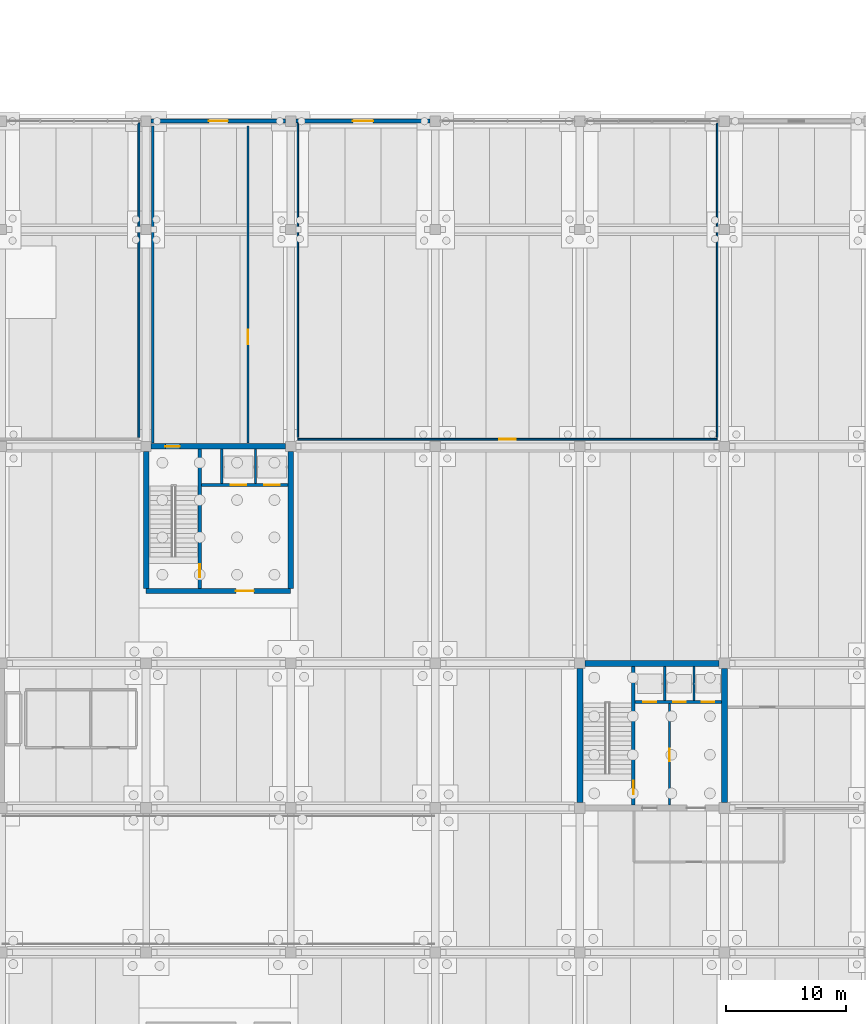
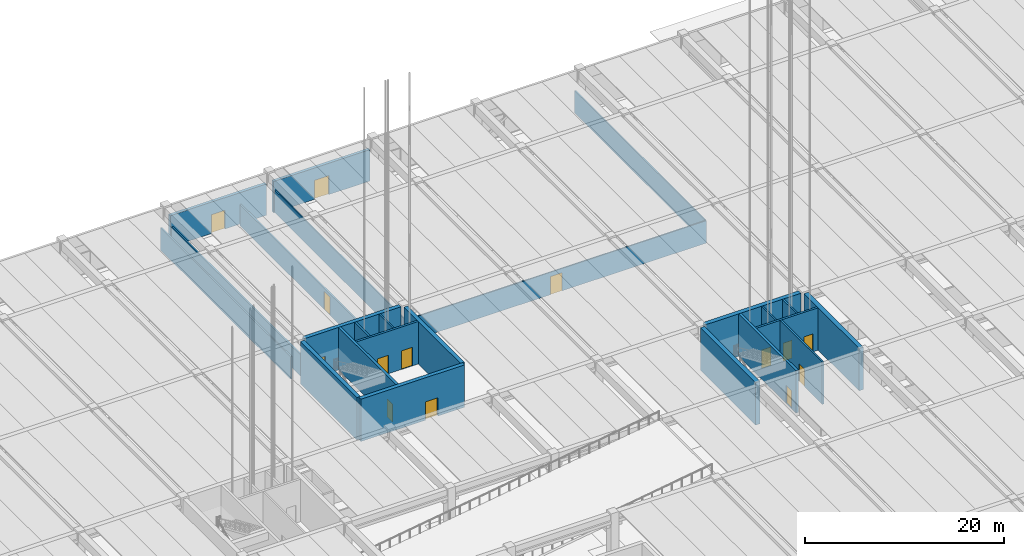
# One storey, part 29 of 59: 24 walls, 14 doors, 14 openings.
"""IFC4 building model written with IfcOpenShell, lengths in metres."""

from ifc_helpers import new_model, si_unit, direction, frame, frame_2d, origin, place, context, subcontext, project, spatial, rectangle, extrude, material, layer, layer_set, type_object, element, fill, save


model = new_model("IFC4")

# Units and contexts
model_context = context("Model", 3, precision=1e-05, world=origin(), true_north=direction((0.0, 1.0)))
body_context = subcontext(model_context, "Body", "Model", "MODEL_VIEW")
ifc_project = project(units=[si_unit("LENGTHUNIT", "METRE"), si_unit("AREAUNIT", "SQUARE_METRE"), si_unit("VOLUMEUNIT", "CUBIC_METRE"), si_unit("PLANEANGLEUNIT", "RADIAN"), si_unit("MASSUNIT", "GRAM", prefix="KILO")], contexts=[model_context])

# Site, building, storey
site_placement = place(None, origin())
site = spatial("IfcSite", under=ifc_project, at=site_placement, CompositionType="ELEMENT")
building_placement = place(site_placement, origin())
building = spatial("IfcBuilding", under=site, at=building_placement, Name="Girod Span Mobility Hub", CompositionType="ELEMENT")
storey_placement = place(building_placement, origin())
storey = spatial("IfcBuildingStorey", under=building, at=storey_placement, Name="L00", CompositionType="ELEMENT", Elevation=0.0)

# Wall, opening, door
ifc_material_1 = material(Name="Concrete C40/50", Category="concrete")
ifc_layer_1 = layer(ifc_material_1, 0.449951171875)
ifc_layer_set_1 = layer_set([ifc_layer_1], Name="Concrete C40/50")
wall_type_1 = type_object("IfcWallType", Name="W-CW-450", PredefinedType="SHEAR", material=ifc_layer_set_1)
wall_1_placement = place(storey_placement, frame((72.0, 75.0, 0.0), z_axis=(0.0, 0.0, 1.0), x_axis=(1.0, 0.0, 0.0)))
wall_1 = element("IfcWall", 1, at=wall_1_placement, inside=storey, type_object=wall_type_1, Name="Core C4 Shear Wall S L00", PredefinedType="SHEAR", context=body_context, shape_type="SweptSolid", body=[
    extrude(rectangle(XDim=12.0, YDim=0.449951171875, at=frame_2d((6.0, 0.0))), origin(), (0.0, 0.0, 1.0), 5.202880859375),
])
opening_1_placement = place(wall_1_placement, frame((7.449951171875, 0.0, 0.0)))
opening_1 = element("IfcOpeningElement", 2, at=opening_1_placement, cuts=wall_1, Name="Opening D-LB-C4-L00", PredefinedType="OPENING", context=body_context, shape_type="SweptSolid", body=[
    extrude(rectangle(XDim=1.5, YDim=2.25, at=frame_2d((0.75, 1.125))), frame((0.0, 0.239990234375, 0.0), z_axis=(0.0, -1.0, 0.0), x_axis=(1.0, 0.0, 0.0)), (0.0, 0.0, 1.0), 0.47998046875),
])
ifc_material_2 = material(Name="Fire-Rated Insulated Hollow Metal Steel", Category="steel")
door_type_1 = type_object("IfcDoorType", Name="DT-FD-03", OperationType="DOUBLE_DOOR_SINGLE_SWING", PredefinedType="DOOR", material=ifc_material_2)
door_1_placement = place(opening_1_placement, origin())
door_1 = element("IfcDoor", 3, at=door_1_placement, inside=storey, type_object=door_type_1, Name="Core C4 Cargo Lift Lobby Door L00", OperationType="DOUBLE_DOOR_SINGLE_SWING", OverallHeight=2.25, OverallWidth=1.5, PredefinedType="DOOR", context=body_context, shape_type="SweptSolid", body=[
    extrude(rectangle(XDim=1.5, YDim=2.25, at=frame_2d((0.75, 1.125))), frame((0.0, 0.02490234375, 0.0), z_axis=(0.0, -1.0, 0.0), x_axis=(1.0, 0.0, 0.0)), (0.0, 0.0, 1.0), 0.050048828125),
])
fill(opening_1, door_1)

wall_2_placement = place(storey_placement, frame((72.422119140625, 87.0, 0.0), z_axis=(0.0, 0.0, 1.0), x_axis=(1.0, 0.0, 0.0)))
wall_2 = element("IfcWall", 4, at=wall_2_placement, inside=storey, type_object=wall_type_1, Name="Core C4 Shear Wall N L00", PredefinedType="SHEAR", context=body_context, shape_type="SweptSolid", body=[
    extrude(rectangle(XDim=11.15576171875, YDim=0.449951171875, at=frame_2d((5.577880859375, 0.0))), origin(), (0.0, 0.0, 1.0), 5.202880859375),
])
opening_2_placement = place(wall_2_placement, frame((1.177978515625, 0.0, 0.0)))
opening_2 = element("IfcOpeningElement", 5, at=opening_2_placement, cuts=wall_2, Name="Opening D-ST4-DIS", PredefinedType="OPENING", context=body_context, shape_type="SweptSolid", body=[
    extrude(rectangle(XDim=1.199951171875, YDim=2.199951171875, at=frame_2d((0.60009765625, 1.10009765625))), frame((0.0, 0.239990234375, 0.0), z_axis=(0.0, -1.0, 0.0), x_axis=(1.0, 0.0, 0.0)), (0.0, 0.0, 1.0), 0.47998046875),
])
ifc_material_3 = material(Name="Fire-Rated Insulated Hollow Metal Steel", Category="steel")
door_type_2 = type_object("IfcDoorType", Name="DT-FD-05", OperationType="NOTDEFINED", PredefinedType="DOOR", material=ifc_material_3)
door_2_placement = place(opening_2_placement, origin())
door_2 = element("IfcDoor", 6, at=door_2_placement, inside=storey, type_object=door_type_2, Name="Stair ST-4 Ground Exit Passage Door", OperationType="SINGLE_SWING_LEFT", OverallHeight=2.199951171875, OverallWidth=1.199951171875, PredefinedType="DOOR", context=body_context, shape_type="SweptSolid", body=[
    extrude(rectangle(XDim=1.199951171875, YDim=2.199951171875, at=frame_2d((0.60009765625, 1.10009765625))), frame((0.0, 0.02490234375, 0.0), z_axis=(0.0, -1.0, 0.0), x_axis=(1.0, 0.0, 0.0)), (0.0, 0.0, 1.0), 0.050048828125),
])
fill(opening_2, door_2)

# Walls
for number, where, z_axis, x_axis, name in (
    (7, (72.0, 75.221923828125, 0.0), (0.0, 0.0, 1.0), (0.0, 1.0, 0.0), "Core C4 Shear Wall W L00"),
    (8, (84.0, 75.221923828125, 0.0), (0.0, 0.0, 1.0), (0.0, 1.0, 0.0), "Core C4 Shear Wall E L00"),
):
    element("IfcWall", number, at=place(storey_placement, frame(where, z_axis=z_axis, x_axis=x_axis)), inside=storey, type_object=wall_type_1, Name=name, PredefinedType="SHEAR", context=body_context, shape_type="SweptSolid", body=[
        extrude(rectangle(XDim=11.35595703125, YDim=0.449951171875, at=frame_2d((5.677978515625, 0.0))), origin(), (0.0, 0.0, 1.0), 5.202880859375),
    ])
ifc_material_4 = material(Name="Concrete C40/50", Category="concrete")
ifc_layer_2 = layer(ifc_material_4, 0.5)
ifc_layer_set_2 = layer_set([ifc_layer_2], Name="Concrete C40/50")
wall_type_2 = type_object("IfcWallType", Name="W-CW-500", PredefinedType="SHEAR", material=ifc_layer_set_2)
for number, where, z_axis, x_axis, name in (
    (9, (108.447021484375, 69.0, 0.0), (0.0, 0.0, 1.0), (1.0, 0.0, 0.0), "Core C2 Shear Wall N L00"),
    (10, (108.0, 57.447021484375, 0.0), (0.0, 0.0, 1.0), (0.0, 1.0, 0.0), "Core C2 Shear Wall W L00"),
    (11, (120.0, 57.447021484375, 0.0), (0.0, 0.0, 1.0), (0.0, 1.0, 0.0), "Core C2 Shear Wall E L00"),
):
    element("IfcWall", number, at=place(storey_placement, frame(where, z_axis=z_axis, x_axis=x_axis)), inside=storey, type_object=wall_type_2, Name=name, PredefinedType="SHEAR", context=body_context, shape_type="SweptSolid", body=[
        extrude(rectangle(XDim=11.10595703125, YDim=0.5, at=frame_2d((5.552978515625, 0.0))), origin(), (0.0, 0.0, 1.0), 5.202880859375),
    ])

# Wall, opening, door
ifc_material_5 = material(Name="Precast Architectural Concrete C40/50", Category="concrete")
ifc_layer_3 = layer(ifc_material_5, 0.340087890625)
ifc_layer_set_3 = layer_set([ifc_layer_3], Name="Precast Architectural Concrete C40/50")
wall_type_3 = type_object("IfcWallType", Name="W-EXT-340", PredefinedType="SOLIDWALL", material=ifc_layer_set_3)
wall_3_placement = place(storey_placement, frame((72.423095703125, 114.0, 0.0), z_axis=(0.0, 0.0, 1.0), x_axis=(1.0, 0.0, 0.0)))
wall_3 = element("IfcWall", 12, at=wall_3_placement, inside=storey, type_object=wall_type_3, Name="Exterior Insulated Precast Wall N-7 L00", PredefinedType="SOLIDWALL", context=body_context, shape_type="SweptSolid", body=[
    extrude(rectangle(XDim=11.15380859375, YDim=0.340087890625, at=frame_2d((5.576904296875, 0.0))), origin(), (0.0, 0.0, 1.0), 3.85009765625),
])
opening_3_placement = place(wall_3_placement, frame((4.797119140625, 0.0, 0.0)))
opening_3 = element("IfcOpeningElement", 13, at=opening_3_placement, cuts=wall_3, Name="Opening D-L00-N06", PredefinedType="OPENING", context=body_context, shape_type="SweptSolid", body=[
    extrude(rectangle(XDim=1.56005859375, YDim=2.300048828125, at=frame_2d((0.780029296875, 1.14990234375))), frame((0.0, 0.18505859375, 0.0), z_axis=(0.0, -1.0, 0.0), x_axis=(1.0, 0.0, 0.0)), (0.0, 0.0, 1.0), 0.3701171875),
])
ifc_material_6 = material(Name="Thermally Broken Anodised Aluminium", Category="aluminium")
door_type_3 = type_object("IfcDoorType", Name="DR-EXT-08", OperationType="DOUBLE_DOOR_SINGLE_SWING", PredefinedType="DOOR", material=ifc_material_6)
door_3_placement = place(opening_3_placement, origin())
door_3 = element("IfcDoor", 14, at=door_3_placement, inside=storey, type_object=door_type_3, Name="North Greenway Concourse Door 6", OperationType="DOUBLE_DOOR_SINGLE_SWING", OverallHeight=2.300048828125, OverallWidth=1.56005859375, PredefinedType="DOOR", context=body_context, shape_type="SweptSolid", body=[
    extrude(rectangle(XDim=1.56005859375, YDim=2.300048828125, at=frame_2d((0.780029296875, 1.14990234375))), frame((0.0, 0.02490234375, 0.0), z_axis=(0.0, -1.0, 0.0), x_axis=(1.0, 0.0, 0.0)), (0.0, 0.0, 1.0), 0.050048828125),
])
fill(opening_3, door_3)

wall_4_placement = place(storey_placement, frame((84.423095703125, 114.0, 0.0), z_axis=(0.0, 0.0, 1.0), x_axis=(1.0, 0.0, 0.0)))
wall_4 = element("IfcWall", 15, at=wall_4_placement, inside=storey, type_object=wall_type_3, Name="Exterior Insulated Precast Wall N-8 L00", PredefinedType="SOLIDWALL", context=body_context, shape_type="SweptSolid", body=[
    extrude(rectangle(XDim=11.15380859375, YDim=0.340087890625, at=frame_2d((5.576904296875, 0.0))), origin(), (0.0, 0.0, 1.0), 3.85009765625),
])
opening_4_placement = place(wall_4_placement, frame((4.737060546875, 0.0, 0.0)))
opening_4 = element("IfcOpeningElement", 16, at=opening_4_placement, cuts=wall_4, Name="Opening D-L00-N07", PredefinedType="OPENING", context=body_context, shape_type="SweptSolid", body=[
    extrude(rectangle(XDim=1.679931640625, YDim=2.340087890625, at=frame_2d((0.83984375, 1.169921875))), frame((0.0, 0.18505859375, 0.0), z_axis=(0.0, -1.0, 0.0), x_axis=(1.0, 0.0, 0.0)), (0.0, 0.0, 1.0), 0.3701171875),
])
ifc_material_7 = material(Name="Thermally Broken Anodised Aluminium", Category="aluminium")
door_type_4 = type_object("IfcDoorType", Name="DR-EXT-09", OperationType="DOUBLE_DOOR_SINGLE_SWING", PredefinedType="DOOR", material=ifc_material_7)
door_4_placement = place(opening_4_placement, origin())
door_4 = element("IfcDoor", 17, at=door_4_placement, inside=storey, type_object=door_type_4, Name="North Greenway Concourse Door 7", OperationType="DOUBLE_DOOR_SINGLE_SWING", OverallHeight=2.340087890625, OverallWidth=1.679931640625, PredefinedType="DOOR", context=body_context, shape_type="SweptSolid", body=[
    extrude(rectangle(XDim=1.679931640625, YDim=2.340087890625, at=frame_2d((0.83984375, 1.169921875))), frame((0.0, 0.02490234375, 0.0), z_axis=(0.0, -1.0, 0.0), x_axis=(1.0, 0.0, 0.0)), (0.0, 0.0, 1.0), 0.050048828125),
])
fill(opening_4, door_4)

ifc_material_8 = material(Name="Concrete C40/50", Category="concrete")
ifc_layer_4 = layer(ifc_material_8, 0.18994140625)
ifc_layer_set_4 = layer_set([ifc_layer_4], Name="Concrete C40/50")
wall_type_4 = type_object("IfcWallType", Name="W-FL-190", PredefinedType="SOLIDWALL", material=ifc_layer_set_4)
wall_5_placement = place(storey_placement, frame((115.449951171875, 57.25, 0.0), z_axis=(0.0, 0.0, 1.0), x_axis=(0.0, 1.0, 0.0)))
wall_5 = element("IfcWall", 18, at=wall_5_placement, inside=storey, type_object=wall_type_4, Name="Core C2 Firefighting Lobby Wall L00", PredefinedType="SOLIDWALL", context=body_context, shape_type="SweptSolid", body=[
    extrude(rectangle(XDim=8.429931640625, YDim=0.18994140625, at=frame_2d((4.21484375, 0.0))), origin(), (0.0, 0.0, 1.0), 5.193115234375),
])
opening_5_placement = place(wall_5_placement, frame((3.60009765625, 0.0, 0.0)))
opening_5 = element("IfcOpeningElement", 19, at=opening_5_placement, cuts=wall_5, Name="Opening D-FLX-C2-L00", PredefinedType="OPENING", context=body_context, shape_type="SweptSolid", body=[
    extrude(rectangle(XDim=1.0400390625, YDim=2.179931640625, at=frame_2d((0.52001953125, 1.08984375))), frame((0.0, 0.10986328125, 0.0), z_axis=(0.0, -1.0, 0.0), x_axis=(1.0, 0.0, 0.0)), (0.0, 0.0, 1.0), 0.219970703125),
])
ifc_material_9 = material(Name="Fire-Rated Insulated Hollow Metal Steel", Category="steel")
door_type_5 = type_object("IfcDoorType", Name="DT-FD-02", OperationType="NOTDEFINED", PredefinedType="DOOR", material=ifc_material_9)
door_5_placement = place(opening_5_placement, origin())
door_5 = element("IfcDoor", 20, at=door_5_placement, inside=storey, type_object=door_type_5, Name="Firefighting Lobby Interconnect Door C2 L00", OperationType="SINGLE_SWING_RIGHT", OverallHeight=2.179931640625, OverallWidth=1.0400390625, PredefinedType="DOOR", context=body_context, shape_type="SweptSolid", body=[
    extrude(rectangle(XDim=1.0400390625, YDim=2.179931640625, at=frame_2d((0.52001953125, 1.08984375))), frame((0.0, 0.02490234375, 0.0), z_axis=(0.0, -1.0, 0.0), x_axis=(1.0, 0.0, 0.0)), (0.0, 0.0, 1.0), 0.050048828125),
])
fill(opening_5, door_5)

# Walls
ifc_material_10 = material(Name="Fire-Rated Gypsum Board on Metal Studs", Category="gypsum")
ifc_layer_5 = layer(ifc_material_10, 0.1650390625)
ifc_layer_set_5 = layer_set([ifc_layer_5], Name="Fire-Rated Gypsum Board on Metal Studs")
wall_type_5 = type_object("IfcWallType", Name="W-FP-165", PredefinedType="PARTITIONING", material=ifc_layer_set_5)
wall_6_placement = place(storey_placement, frame((71.39990234375, 87.760009765625, 0.0), z_axis=(0.0, 0.0, 1.0), x_axis=(0.0, 1.0, 0.0)))
element("IfcWall", 21, at=wall_6_placement, inside=storey, type_object=wall_type_5, Name="Bicycle Repair Shop Partition E", PredefinedType="PARTITIONING", context=body_context, shape_type="SweptSolid", body=[
    extrude(rectangle(XDim=26.10009765625, YDim=0.1650390625, at=frame_2d((13.050048828125, 0.0))), origin(), (0.0, 0.0, 1.0), 2.75),
])
ifc_material_11 = material(Name="Reinforced Concrete Masonry Block", Category="masonry")
ifc_layer_6 = layer(ifc_material_11, 0.179931640625)
ifc_layer_set_6 = layer_set([ifc_layer_6], Name="Reinforced Concrete Masonry Block")
wall_type_6 = type_object("IfcWallType", Name="W-FP-180", PredefinedType="SOLIDWALL", material=ifc_layer_set_6)
wall_7_placement = place(storey_placement, frame((72.550048828125, 87.300048828125, 0.0), z_axis=(0.0, 0.0, 1.0), x_axis=(0.0, 1.0, 0.0)))
element("IfcWall", 22, at=wall_7_placement, inside=storey, type_object=wall_type_6, Name="Exit Passage ST-4 West Wall", PredefinedType="SOLIDWALL", context=body_context, shape_type="SweptSolid", body=[
    extrude(rectangle(XDim=26.300048828125, YDim=0.179931640625, at=frame_2d((13.14990234375, 0.0))), origin(), (0.0, 0.0, 1.0), 2.60009765625),
])

# Wall, opening, door
wall_8_placement = place(storey_placement, frame((80.449951171875, 87.300048828125, 0.0), z_axis=(0.0, 0.0, 1.0), x_axis=(0.0, 1.0, 0.0)))
wall_8 = element("IfcWall", 23, at=wall_8_placement, inside=storey, type_object=wall_type_6, Name="Exit Passage ST-4 East Wall", PredefinedType="SOLIDWALL", context=body_context, shape_type="SweptSolid", body=[
    extrude(rectangle(XDim=26.300048828125, YDim=0.179931640625, at=frame_2d((13.14990234375, 0.0))), origin(), (0.0, 0.0, 1.0), 2.60009765625),
])
opening_6_placement = place(wall_8_placement, frame((8.199951171875, 0.0, 0.0)))
opening_6 = element("IfcOpeningElement", 24, at=opening_6_placement, cuts=wall_8, Name="Opening D-EP4-E", PredefinedType="OPENING", context=body_context, shape_type="SweptSolid", body=[
    extrude(rectangle(XDim=1.199951171875, YDim=2.199951171875, at=frame_2d((0.60009765625, 1.10009765625))), frame((0.0, 0.10498046875, 0.0), z_axis=(0.0, -1.0, 0.0), x_axis=(1.0, 0.0, 0.0)), (0.0, 0.0, 1.0), 0.2099609375),
])
door_6_placement = place(opening_6_placement, frame((1.199951171875, 0.0, 0.0), z_axis=(0.0, 0.0, 1.0), x_axis=(-1.0, 0.0, 0.0)))
door_6 = element("IfcDoor", 25, at=door_6_placement, inside=storey, type_object=door_type_2, Name="Exit Passage ST-4 East Access Door", OperationType="SINGLE_SWING_LEFT", OverallHeight=2.199951171875, OverallWidth=1.199951171875, PredefinedType="DOOR", context=body_context, shape_type="SweptSolid", body=[
    extrude(rectangle(XDim=1.199951171875, YDim=2.199951171875, at=frame_2d((0.60009765625, 1.10009765625))), frame((0.0, 0.02490234375, 0.0), z_axis=(0.0, -1.0, 0.0), x_axis=(1.0, 0.0, 0.0)), (0.0, 0.0, 1.0), 0.050048828125),
])
fill(opening_6, door_6)

ifc_material_12 = material(Name="Fire-Rated Gypsum Board on Metal Studs", Category="gypsum")
ifc_layer_7 = layer(ifc_material_12, 0.139892578125)
ifc_layer_set_7 = layer_set([ifc_layer_7], Name="Fire-Rated Gypsum Board on Metal Studs")
wall_type_7 = type_object("IfcWallType", Name="W-PT-140", PredefinedType="PARTITIONING", material=ifc_layer_set_7)
wall_9_placement = place(storey_placement, frame((84.60009765625, 87.60009765625, 0.0), z_axis=(0.0, 0.0, 1.0), x_axis=(1.0, 0.0, 0.0)))
wall_9 = element("IfcWall", 26, at=wall_9_placement, inside=storey, type_object=wall_type_7, Name="Shared Mobility Hall Partition S", PredefinedType="PARTITIONING", context=body_context, shape_type="SweptSolid", body=[
    extrude(rectangle(XDim=34.7998046875, YDim=0.139892578125, at=frame_2d((17.39990234375, 0.0))), origin(), (0.0, 0.0, 1.0), 2.75),
])
opening_7_placement = place(wall_9_placement, frame((16.7099609375, 0.0, 0.0)))
opening_7 = element("IfcOpeningElement", 27, at=opening_7_placement, cuts=wall_9, Name="Opening D-L00-SH-MOB", PredefinedType="OPENING", context=body_context, shape_type="SweptSolid", body=[
    extrude(rectangle(XDim=1.3798828125, YDim=2.22998046875, at=frame_2d((0.68994140625, 1.114990234375))), frame((0.0, 0.0849609375, 0.0), z_axis=(0.0, -1.0, 0.0), x_axis=(1.0, 0.0, 0.0)), (0.0, 0.0, 1.0), 0.169921875),
])
ifc_material_13 = material(Name="Solid-Core Architectural Timber", Category="wood")
door_type_6 = type_object("IfcDoorType", Name="DT-NR-11", OperationType="DOUBLE_DOOR_SINGLE_SWING", PredefinedType="DOOR", material=ifc_material_13)
door_7_placement = place(opening_7_placement, origin())
door_7 = element("IfcDoor", 28, at=door_7_placement, inside=storey, type_object=door_type_6, Name="Shared Mobility Hall Door", OperationType="DOUBLE_DOOR_SINGLE_SWING", OverallHeight=2.22998046875, OverallWidth=1.3798828125, PredefinedType="DOOR", context=body_context, shape_type="SweptSolid", body=[
    extrude(rectangle(XDim=1.3798828125, YDim=2.22998046875, at=frame_2d((0.68994140625, 1.114990234375))), frame((0.0, 0.02490234375, 0.0), z_axis=(0.0, -1.0, 0.0), x_axis=(1.0, 0.0, 0.0)), (0.0, 0.0, 1.0), 0.050048828125),
])
fill(opening_7, door_7)

# Walls
for number, where, z_axis, x_axis, name in (
    (29, (84.60009765625, 87.760009765625, 0.0), (0.0, 0.0, 1.0), (0.0, 1.0, 0.0), "Shared Mobility Hall Partition W"),
    (30, (119.39990234375, 87.760009765625, 0.0), (0.0, 0.0, 1.0), (0.0, 1.0, 0.0), "Shared Mobility Hall Partition E"),
):
    element("IfcWall", number, at=place(storey_placement, frame(where, z_axis=z_axis, x_axis=x_axis)), inside=storey, type_object=wall_type_7, Name=name, PredefinedType="PARTITIONING", context=body_context, shape_type="SweptSolid", body=[
        extrude(rectangle(XDim=26.10009765625, YDim=0.139892578125, at=frame_2d((13.050048828125, 0.0))), origin(), (0.0, 0.0, 1.0), 2.75),
    ])
ifc_material_14 = material(Name="Concrete C40/50", Category="concrete")
ifc_layer_8 = layer(ifc_material_14, 0.199951171875)
ifc_layer_set_8 = layer_set([ifc_layer_8], Name="Concrete C40/50")
wall_type_8 = type_object("IfcWallType", Name="W-SH-200", PredefinedType="SOLIDWALL", material=ifc_layer_set_8)
for number, where, z_axis, x_axis, name in (
    (31, (115.050048828125, 65.919921875, 0.0), (0.0, 0.0, 1.0), (0.0, 1.0, 0.0), "Core C2 Shaft Divider 1 L00"),
    (32, (117.47998046875, 65.919921875, 0.0), (0.0, 0.0, 1.0), (0.0, 1.0, 0.0), "Core C2 Shaft Divider 2 L00"),
):
    element("IfcWall", number, at=place(storey_placement, frame(where, z_axis=z_axis, x_axis=x_axis)), inside=storey, type_object=wall_type_8, Name=name, PredefinedType="SOLIDWALL", context=body_context, shape_type="SweptSolid", body=[
        extrude(rectangle(XDim=2.830078125, YDim=0.199951171875, at=frame_2d((1.4150390625, 0.0))), origin(), (0.0, 0.0, 1.0), 5.193115234375),
    ])
for number, where, z_axis, x_axis, name in (
    (33, (78.280029296875, 83.919921875, 0.0), (0.0, 0.0, 1.0), (0.0, 1.0, 0.0), "Core C4 Shaft Divider 1 L00"),
    (34, (81.080078125, 83.919921875, 0.0), (0.0, 0.0, 1.0), (0.0, 1.0, 0.0), "Core C4 Shaft Divider 2 L00"),
):
    element("IfcWall", number, at=place(storey_placement, frame(where, z_axis=z_axis, x_axis=x_axis)), inside=storey, type_object=wall_type_8, Name=name, PredefinedType="SOLIDWALL", context=body_context, shape_type="SweptSolid", body=[
        extrude(rectangle(XDim=2.85498046875, YDim=0.199951171875, at=frame_2d((1.427490234375, 0.0))), origin(), (0.0, 0.0, 1.0), 5.193115234375),
    ])

# Wall, openings, doors
ifc_material_15 = material(Name="Concrete C40/50", Category="concrete")
ifc_layer_9 = layer(ifc_material_15, 0.25)
ifc_layer_set_9 = layer_set([ifc_layer_9], Name="Concrete C40/50")
wall_type_9 = type_object("IfcWallType", Name="W-SH-250", PredefinedType="SOLIDWALL", material=ifc_layer_set_9)
wall_10_placement = place(storey_placement, frame((112.596923828125, 65.800048828125, 0.0), z_axis=(0.0, 0.0, 1.0), x_axis=(1.0, 0.0, 0.0)))
wall_10 = element("IfcWall", 35, at=wall_10_placement, inside=storey, type_object=wall_type_9, Name="Core C2 Hoistway Front Wall L00", PredefinedType="SOLIDWALL", context=body_context, shape_type="SweptSolid", body=[
    extrude(rectangle(XDim=7.156005859375, YDim=0.25, at=frame_2d((3.578125, 0.0))), origin(), (0.0, 0.0, 1.0), 5.202880859375),
])
opening_8_placement = place(wall_10_placement, frame((0.653076171875, 0.0, 0.0)))
opening_8 = element("IfcOpeningElement", 36, at=opening_8_placement, cuts=wall_10, Name="Opening LD-FL-2-L00", PredefinedType="OPENING", context=body_context, shape_type="SweptSolid", body=[
    extrude(rectangle(XDim=1.10009765625, YDim=2.239990234375, at=frame_2d((0.550048828125, 1.1201171875))), frame((0.0, 0.139892578125, 0.0), z_axis=(0.0, -1.0, 0.0), x_axis=(1.0, 0.0, 0.0)), (0.0, 0.0, 1.0), 0.280029296875),
])
opening_9_placement = place(wall_10_placement, frame((3.153076171875, 0.0, 0.0)))
opening_9 = element("IfcOpeningElement", 37, at=opening_9_placement, cuts=wall_10, Name="Opening LD-LP-3-L00", PredefinedType="OPENING", context=body_context, shape_type="SweptSolid", body=[
    extrude(rectangle(XDim=1.050048828125, YDim=2.199951171875, at=frame_2d((0.52490234375, 1.10009765625))), frame((0.0, 0.139892578125, 0.0), z_axis=(0.0, -1.0, 0.0), x_axis=(1.0, 0.0, 0.0)), (0.0, 0.0, 1.0), 0.280029296875),
])
opening_10_placement = place(wall_10_placement, frame((5.528076171875, 0.0, 0.0)))
opening_10 = element("IfcOpeningElement", 38, at=opening_10_placement, cuts=wall_10, Name="Opening LD-LP-4-L00", PredefinedType="OPENING", context=body_context, shape_type="SweptSolid", body=[
    extrude(rectangle(XDim=1.050048828125, YDim=2.199951171875, at=frame_2d((0.52490234375, 1.10009765625))), frame((0.0, 0.139892578125, 0.0), z_axis=(0.0, -1.0, 0.0), x_axis=(1.0, 0.0, 0.0)), (0.0, 0.0, 1.0), 0.280029296875),
])
ifc_material_16 = material(Name="Brushed Stainless Steel Grade 304", Category="steel")
door_type_7 = type_object("IfcDoorType", Name="LD-FL-110", OperationType="SLIDING_TO_LEFT", PredefinedType="USERDEFINED", material=ifc_material_16)
door_8_placement = place(opening_8_placement, origin())
door_8 = element("IfcDoor", 39, at=door_8_placement, inside=storey, type_object=door_type_7, Name="Lift FL-2 Sliding Landing Door L00", ObjectType="LANDING DOOR", OperationType="SLIDING_TO_LEFT", OverallHeight=2.239990234375, OverallWidth=1.10009765625, PredefinedType="USERDEFINED", context=body_context, shape_type="SweptSolid", body=[
    extrude(rectangle(XDim=1.10009765625, YDim=2.239990234375, at=frame_2d((0.550048828125, 1.1201171875))), frame((0.0, 0.02490234375, 0.0), z_axis=(0.0, -1.0, 0.0), x_axis=(1.0, 0.0, 0.0)), (0.0, 0.0, 1.0), 0.050048828125),
])
fill(opening_8, door_8)
ifc_material_17 = material(Name="Brushed Stainless Steel Grade 304", Category="steel")
door_type_8 = type_object("IfcDoorType", Name="LD-LP-105", OperationType="SLIDING_TO_LEFT", PredefinedType="USERDEFINED", material=ifc_material_17)
door_9_placement = place(opening_9_placement, origin())
door_9 = element("IfcDoor", 40, at=door_9_placement, inside=storey, type_object=door_type_8, Name="Lift LP-3 Sliding Landing Door L00", ObjectType="LANDING DOOR", OperationType="SLIDING_TO_LEFT", OverallHeight=2.199951171875, OverallWidth=1.050048828125, PredefinedType="USERDEFINED", context=body_context, shape_type="SweptSolid", body=[
    extrude(rectangle(XDim=1.050048828125, YDim=2.199951171875, at=frame_2d((0.52490234375, 1.10009765625))), frame((0.0, 0.02490234375, 0.0), z_axis=(0.0, -1.0, 0.0), x_axis=(1.0, 0.0, 0.0)), (0.0, 0.0, 1.0), 0.050048828125),
])
fill(opening_9, door_9)
door_10_placement = place(opening_10_placement, origin())
door_10 = element("IfcDoor", 41, at=door_10_placement, inside=storey, type_object=door_type_8, Name="Lift LP-4 Sliding Landing Door L00", ObjectType="LANDING DOOR", OperationType="SLIDING_TO_LEFT", OverallHeight=2.199951171875, OverallWidth=1.050048828125, PredefinedType="USERDEFINED", context=body_context, shape_type="SweptSolid", body=[
    extrude(rectangle(XDim=1.050048828125, YDim=2.199951171875, at=frame_2d((0.52490234375, 1.10009765625))), frame((0.0, 0.02490234375, 0.0), z_axis=(0.0, -1.0, 0.0), x_axis=(1.0, 0.0, 0.0)), (0.0, 0.0, 1.0), 0.050048828125),
])
fill(opening_10, door_10)

wall_11_placement = place(storey_placement, frame((76.596923828125, 83.800048828125, 0.0), z_axis=(0.0, 0.0, 1.0), x_axis=(1.0, 0.0, 0.0)))
wall_11 = element("IfcWall", 42, at=wall_11_placement, inside=storey, type_object=wall_type_9, Name="Core C4 Hoistway Front Wall L00", PredefinedType="SOLIDWALL", context=body_context, shape_type="SweptSolid", body=[
    extrude(rectangle(XDim=7.18115234375, YDim=0.25, at=frame_2d((3.590576171875, 0.0))), origin(), (0.0, 0.0, 1.0), 5.202880859375),
])
opening_11_placement = place(wall_11_placement, frame((2.43310546875, 0.0, 0.0)))
opening_11 = element("IfcOpeningElement", 43, at=opening_11_placement, cuts=wall_11, Name="Opening LD-LB-1-L00", PredefinedType="OPENING", context=body_context, shape_type="SweptSolid", body=[
    extrude(rectangle(XDim=1.300048828125, YDim=2.280029296875, at=frame_2d((0.64990234375, 1.14013671875))), frame((0.0, 0.139892578125, 0.0), z_axis=(0.0, -1.0, 0.0), x_axis=(1.0, 0.0, 0.0)), (0.0, 0.0, 1.0), 0.280029296875),
])
opening_12_placement = place(wall_11_placement, frame((5.202880859375, 0.0, 0.0)))
opening_12 = element("IfcOpeningElement", 44, at=opening_12_placement, cuts=wall_11, Name="Opening LD-LB-2-L00", PredefinedType="OPENING", context=body_context, shape_type="SweptSolid", body=[
    extrude(rectangle(XDim=1.300048828125, YDim=2.280029296875, at=frame_2d((0.64990234375, 1.14013671875))), frame((0.0, 0.139892578125, 0.0), z_axis=(0.0, -1.0, 0.0), x_axis=(1.0, 0.0, 0.0)), (0.0, 0.0, 1.0), 0.280029296875),
])
ifc_material_18 = material(Name="Brushed Stainless Steel Grade 304", Category="steel")
door_type_9 = type_object("IfcDoorType", Name="LD-LB-130", OperationType="SLIDING_TO_LEFT", PredefinedType="USERDEFINED", material=ifc_material_18)
door_11_placement = place(opening_11_placement, origin())
door_11 = element("IfcDoor", 45, at=door_11_placement, inside=storey, type_object=door_type_9, Name="Lift LB-1 Sliding Landing Door L00", ObjectType="LANDING DOOR", OperationType="SLIDING_TO_LEFT", OverallHeight=2.280029296875, OverallWidth=1.300048828125, PredefinedType="USERDEFINED", context=body_context, shape_type="SweptSolid", body=[
    extrude(rectangle(XDim=1.300048828125, YDim=2.280029296875, at=frame_2d((0.64990234375, 1.14013671875))), frame((0.0, 0.02490234375, 0.0), z_axis=(0.0, -1.0, 0.0), x_axis=(1.0, 0.0, 0.0)), (0.0, 0.0, 1.0), 0.050048828125),
])
fill(opening_11, door_11)
door_12_placement = place(opening_12_placement, origin())
door_12 = element("IfcDoor", 46, at=door_12_placement, inside=storey, type_object=door_type_9, Name="Lift LB-2 Sliding Landing Door L00", ObjectType="LANDING DOOR", OperationType="SLIDING_TO_LEFT", OverallHeight=2.280029296875, OverallWidth=1.300048828125, PredefinedType="USERDEFINED", context=body_context, shape_type="SweptSolid", body=[
    extrude(rectangle(XDim=1.300048828125, YDim=2.280029296875, at=frame_2d((0.64990234375, 1.14013671875))), frame((0.0, 0.02490234375, 0.0), z_axis=(0.0, -1.0, 0.0), x_axis=(1.0, 0.0, 0.0)), (0.0, 0.0, 1.0), 0.050048828125),
])
fill(opening_12, door_12)

# Wall, opening, door
ifc_material_19 = material(Name="Concrete C40/50", Category="concrete")
ifc_layer_10 = layer(ifc_material_19, 0.300048828125)
ifc_layer_set_10 = layer_set([ifc_layer_10], Name="Concrete C40/50")
wall_type_10 = type_object("IfcWallType", Name="W-SH-300", PredefinedType="SHEAR", material=ifc_layer_set_10)
wall_12_placement = place(storey_placement, frame((112.449951171875, 57.2470703125, 0.0), z_axis=(0.0, 0.0, 1.0), x_axis=(0.0, 1.0, 0.0)))
wall_12 = element("IfcWall", 47, at=wall_12_placement, inside=storey, type_object=wall_type_10, Name="Core C2 Stairwell Spine Wall L00", PredefinedType="SHEAR", context=body_context, shape_type="SweptSolid", body=[
    extrude(rectangle(XDim=11.505859375, YDim=0.300048828125, at=frame_2d((5.7529296875, 0.0))), origin(), (0.0, 0.0, 1.0), 5.202880859375),
])
opening_13_placement = place(wall_12_placement, frame((0.89990234375, 0.0, 0.0)))
opening_13 = element("IfcOpeningElement", 48, at=opening_13_placement, cuts=wall_12, Name="Opening D-ST-2-L00", PredefinedType="OPENING", context=body_context, shape_type="SweptSolid", body=[
    extrude(rectangle(XDim=1.10009765625, YDim=2.199951171875, at=frame_2d((0.550048828125, 1.10009765625))), frame((0.0, 0.1650390625, 0.0), z_axis=(0.0, -1.0, 0.0), x_axis=(1.0, 0.0, 0.0)), (0.0, 0.0, 1.0), 0.330078125),
])
ifc_material_20 = material(Name="Fire-Rated Insulated Hollow Metal Steel", Category="steel")
door_type_10 = type_object("IfcDoorType", Name="DT-FD-01", OperationType="NOTDEFINED", PredefinedType="DOOR", material=ifc_material_20)
door_13_placement = place(opening_13_placement, origin())
door_13 = element("IfcDoor", 49, at=door_13_placement, inside=storey, type_object=door_type_10, Name="Stair ST-2 Fire Door L00", OperationType="SINGLE_SWING_LEFT", OverallHeight=2.199951171875, OverallWidth=1.10009765625, PredefinedType="DOOR", context=body_context, shape_type="SweptSolid", body=[
    extrude(rectangle(XDim=1.10009765625, YDim=2.199951171875, at=frame_2d((0.550048828125, 1.10009765625))), frame((0.0, 0.02490234375, 0.0), z_axis=(0.0, -1.0, 0.0), x_axis=(1.0, 0.0, 0.0)), (0.0, 0.0, 1.0), 0.050048828125),
])
fill(opening_13, door_13)

wall_13_placement = place(storey_placement, frame((76.449951171875, 75.221923828125, 0.0), z_axis=(0.0, 0.0, 1.0), x_axis=(0.0, 1.0, 0.0)))
wall_13 = element("IfcWall", 50, at=wall_13_placement, inside=storey, type_object=wall_type_10, Name="Core C4 Stairwell Spine Wall L00", PredefinedType="SHEAR", context=body_context, shape_type="SweptSolid", body=[
    extrude(rectangle(XDim=11.55615234375, YDim=0.300048828125, at=frame_2d((5.778076171875, 0.0))), origin(), (0.0, 0.0, 1.0), 5.202880859375),
])
opening_14_placement = place(wall_13_placement, frame((0.89990234375, 0.0, 0.0)))
opening_14 = element("IfcOpeningElement", 51, at=opening_14_placement, cuts=wall_13, Name="Opening D-ST-4-L00", PredefinedType="OPENING", context=body_context, shape_type="SweptSolid", body=[
    extrude(rectangle(XDim=1.10009765625, YDim=2.199951171875, at=frame_2d((0.550048828125, 1.10009765625))), frame((0.0, 0.1650390625, 0.0), z_axis=(0.0, -1.0, 0.0), x_axis=(1.0, 0.0, 0.0)), (0.0, 0.0, 1.0), 0.330078125),
])
door_14_placement = place(opening_14_placement, origin())
door_14 = element("IfcDoor", 52, at=door_14_placement, inside=storey, type_object=door_type_10, Name="Stair ST-4 Fire Door L00", OperationType="SINGLE_SWING_LEFT", OverallHeight=2.199951171875, OverallWidth=1.10009765625, PredefinedType="DOOR", context=body_context, shape_type="SweptSolid", body=[
    extrude(rectangle(XDim=1.10009765625, YDim=2.199951171875, at=frame_2d((0.550048828125, 1.10009765625))), frame((0.0, 0.02490234375, 0.0), z_axis=(0.0, -1.0, 0.0), x_axis=(1.0, 0.0, 0.0)), (0.0, 0.0, 1.0), 0.050048828125),
])
fill(opening_14, door_14)

save(model, "model.ifc")
